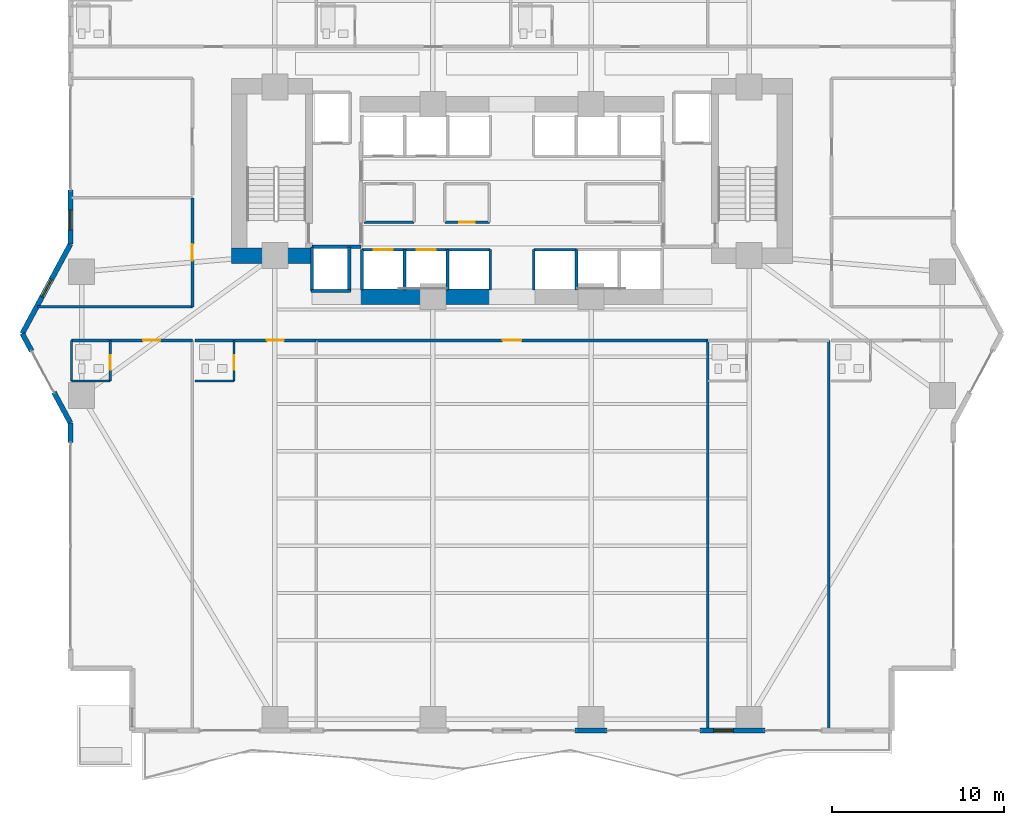
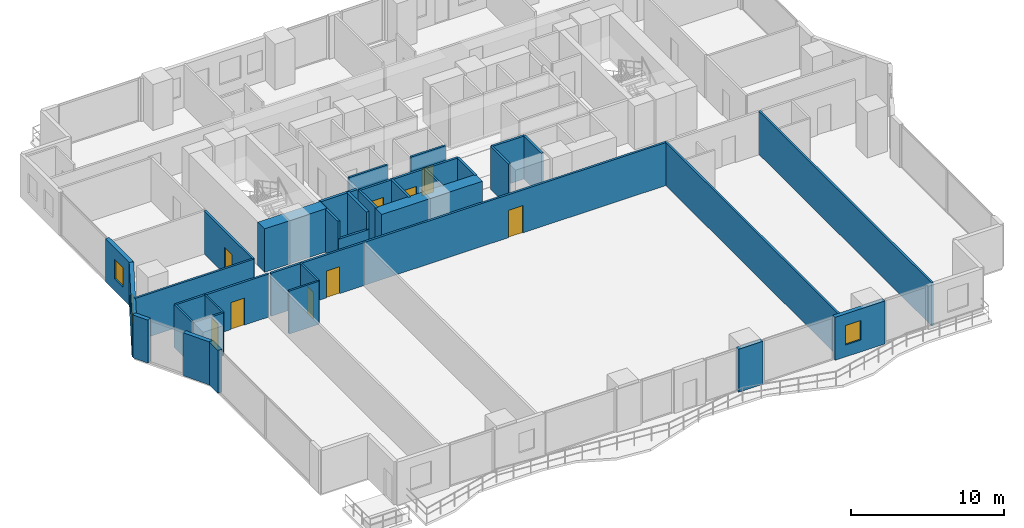
# One storey, part 19 of 28: 37 walls, 9 doors, 3 windows, 12 openings.
"""IFC4 building model written with IfcOpenShell, lengths in metres."""

from ifc_helpers import new_model, si_unit, direction, frame, frame_2d, origin, place, context, subcontext, project, spatial, rectangle, extrude, material, layer, layer_set, type_object, element, fill, save


model = new_model("IFC4")

# Units and contexts
model_context = context("Model", 3, precision=1e-05, world=origin(), true_north=direction((0.0, 1.0)))
body_context = subcontext(model_context, "Body", "Model", "MODEL_VIEW")
ifc_project = project(units=[si_unit("LENGTHUNIT", "METRE"), si_unit("AREAUNIT", "SQUARE_METRE"), si_unit("VOLUMEUNIT", "CUBIC_METRE"), si_unit("PLANEANGLEUNIT", "RADIAN"), si_unit("MASSUNIT", "GRAM", prefix="KILO")], contexts=[model_context])

# Site, building, storey
site_placement = place(None, origin())
site = spatial("IfcSite", under=ifc_project, at=site_placement, CompositionType="ELEMENT")
building_placement = place(site_placement, origin())
building = spatial("IfcBuilding", under=site, at=building_placement, Name="Zuhayl Quay Hotel", CompositionType="ELEMENT")
storey_placement = place(building_placement, frame((0.0, 0.0, 71.39990234375)))
storey = spatial("IfcBuildingStorey", under=building, at=storey_placement, Name="L17", CompositionType="ELEMENT", Elevation=71.39990234375)

# Walls
ifc_material_1 = material(Name="Concrete C70/85", Category="concrete")
ifc_layer_1 = layer(ifc_material_1, 0.89990234375, Name="Concrete C70/85", Category="concrete")
ifc_layer_set_1 = layer_set([ifc_layer_1], Name="Concrete C70/85")
wall_type_1 = type_object("IfcWallType", Name="WL_CORE_900", PredefinedType="SHEAR", material=ifc_layer_set_1)
wall_1_placement = place(storey_placement, frame((-16.31005859375, 4.52001953125, 0.0), z_axis=(0.0, 0.0, 1.0), x_axis=(1.0, 0.0, 0.0)))
element("IfcWall", 1, at=wall_1_placement, inside=storey, type_object=wall_type_1, Name="L17 Core Shear Wall CW_SW", PredefinedType="SHEAR", context=body_context, shape_type="SweptSolid", body=[
    extrude(rectangle(XDim=4.7099609375, YDim=0.89990234375, at=frame_2d((2.35498046875, 0.0))), origin(), (0.0, 0.0, 1.0), 3.460205078125),
])
wall_2_placement = place(storey_placement, frame((-8.85009765625, 2.14990234375, 0.0), z_axis=(0.0, 0.0, 1.0), x_axis=(1.0, 0.0, 0.0)))
element("IfcWall", 2, at=wall_2_placement, inside=storey, type_object=wall_type_1, Name="L17 Core Shear Wall CW_SC_W", PredefinedType="SHEAR", context=body_context, shape_type="SweptSolid", body=[
    extrude(rectangle(XDim=7.60009765625, YDim=0.89990234375, at=frame_2d((3.800048828125, 0.0))), origin(), (0.0, 0.0, 1.0), 3.43017578125),
])
ifc_material_2 = material(Name="Precast concrete C45/55", Category="concrete")
ifc_layer_2 = layer(ifc_material_2, 0.300048828125, Name="Precast concrete C45/55", Category="concrete")
ifc_layer_set_2 = layer_set([ifc_layer_2], Name="Precast concrete C45/55")
wall_type_2 = type_object("IfcWallType", Name="WL_EXT_300", PredefinedType="STANDARD", material=ifc_layer_set_2)
wall_3_placement = place(storey_placement, frame((-25.699951171875, -6.35009765625, 0.0), z_axis=(0.0, 0.0, 1.0), x_axis=(0.0, 1.0, 0.0)))
element("IfcWall", 3, at=wall_3_placement, inside=storey, type_object=wall_type_2, Name="L17 Exterior Precast Wall ENV_L17_E02_EW2", PredefinedType="STANDARD", context=body_context, shape_type="SweptSolid", body=[
    extrude(rectangle(XDim=1.150146484375, YDim=0.300048828125, at=frame_2d((0.5751953125, 0.0))), origin(), (0.0, 0.0, 1.0), 3.43017578125),
])
wall_4_placement = place(storey_placement, frame((-25.699951171875, -5.199951171875, 0.0), z_axis=(0.0, 0.0, 1.0), x_axis=(-0.474121438562, 0.88045946045, 0.0)))
element("IfcWall", 4, at=wall_4_placement, inside=storey, type_object=wall_type_2, Name="L17 Exterior Precast Wall ENV_L17_E03_EW1", PredefinedType="STANDARD", context=body_context, shape_type="SweptSolid", body=[
    extrude(rectangle(XDim=2.0205078125, YDim=0.300048828125, at=frame_2d((1.01025390625, 0.0))), origin(), (0.0, 0.0, 1.0), 3.43017578125),
])
wall_5_placement = place(storey_placement, frame((-27.954833984375, -1.012451171875, 0.0), z_axis=(0.0, 0.0, 1.0), x_axis=(-0.474099823035, 0.880471099922, 0.0)))
element("IfcWall", 5, at=wall_5_placement, inside=storey, type_object=wall_type_2, Name="L17 Exterior Precast Wall ENV_L17_E03_EW2", PredefinedType="STANDARD", context=body_context, shape_type="SweptSolid", body=[
    extrude(rectangle(XDim=1.14990234375, YDim=0.300048828125, at=frame_2d((0.574951171875, 0.0))), origin(), (0.0, 0.0, 1.0), 3.43017578125),
])

# Wall, opening, window
wall_6_placement = place(storey_placement, frame((-28.5, 0.0, 0.0), z_axis=(0.0, 0.0, 1.0), x_axis=(0.474109683532, 0.880465790352, 0.0)))
wall_6 = element("IfcWall", 6, at=wall_6_placement, inside=storey, type_object=wall_type_2, Name="L17 Exterior Precast Wall ENV_L17_E04_EW1", PredefinedType="STANDARD", context=body_context, shape_type="SweptSolid", body=[
    extrude(rectangle(XDim=5.906005859375, YDim=0.300048828125, at=frame_2d((2.953125, 0.0))), origin(), (0.0, 0.0, 1.0), 3.43017578125),
])
opening_1_placement = place(wall_6_placement, frame((2.43212890625, 0.0, 0.949951171875)))
opening_1 = element("IfcOpeningElement", 7, at=opening_1_placement, cuts=wall_6, Name="Opening W01N", PredefinedType="OPENING", context=body_context, shape_type="SweptSolid", body=[
    extrude(rectangle(XDim=1.14990234375, YDim=1.550048828125, at=frame_2d((0.574951171875, 0.77490234375))), frame((0.0, 0.159912109375, 0.0), z_axis=(0.0, -1.0, 0.0), x_axis=(1.0, 0.0, 0.0)), (0.0, 0.0, 1.0), 0.320068359375),
])
ifc_material_3 = material(Name="Dark Ceramic-Fritted Solar Glass", Category="glass")
window_type = type_object("IfcWindowType", Name="WN_NOTCH_1350", PartitioningType="SINGLE_PANEL", PredefinedType="WINDOW", material=ifc_material_3)
window_1_placement = place(opening_1_placement, origin())
window_1 = element("IfcWindow", 8, at=window_1_placement, inside=storey, type_object=window_type, Name="L17 Operable Facade Window 1-1", OverallHeight=1.550048828125, OverallWidth=1.14990234375, PartitioningType="SINGLE_PANEL", PredefinedType="WINDOW", context=body_context, shape_type="SweptSolid", body=[
    extrude(rectangle(XDim=1.14990234375, YDim=1.550048828125, at=frame_2d((0.574951171875, 0.77490234375))), frame((0.0, 0.030029296875, 0.0), z_axis=(0.0, -1.0, 0.0), x_axis=(1.0, 0.0, 0.0)), (0.0, 0.0, 1.0), 0.06005859375),
])
fill(opening_1, window_1)

wall_7_placement = place(storey_placement, frame((-25.699951171875, 5.199951171875, 0.0), z_axis=(0.0, 0.0, 1.0), x_axis=(0.0, 1.0, 0.0)))
wall_7 = element("IfcWall", 9, at=wall_7_placement, inside=storey, type_object=wall_type_2, Name="L17 Exterior Precast Wall ENV_L17_E05_EW1", PredefinedType="STANDARD", context=body_context, shape_type="SweptSolid", body=[
    extrude(rectangle(XDim=3.150146484375, YDim=0.300048828125, at=frame_2d((1.5751953125, 0.0))), origin(), (0.0, 0.0, 1.0), 3.43017578125),
])
opening_2_placement = place(wall_7_placement, frame((0.8349609375, 0.0, 0.949951171875)))
opening_2 = element("IfcOpeningElement", 10, at=opening_2_placement, cuts=wall_7, Name="Opening W01N", PredefinedType="OPENING", context=body_context, shape_type="SweptSolid", body=[
    extrude(rectangle(XDim=1.14990234375, YDim=1.550048828125, at=frame_2d((0.574951171875, 0.77490234375))), frame((0.0, 0.159912109375, 0.0), z_axis=(0.0, -1.0, 0.0), x_axis=(1.0, 0.0, 0.0)), (0.0, 0.0, 1.0), 0.320068359375),
])
window_2_placement = place(opening_2_placement, origin())
window_2 = element("IfcWindow", 11, at=window_2_placement, inside=storey, type_object=window_type, Name="L17 Operable Facade Window 1-1", OverallHeight=1.550048828125, OverallWidth=1.14990234375, PartitioningType="SINGLE_PANEL", PredefinedType="WINDOW", context=body_context, shape_type="SweptSolid", body=[
    extrude(rectangle(XDim=1.14990234375, YDim=1.550048828125, at=frame_2d((0.574951171875, 0.77490234375))), frame((0.0, 0.030029296875, 0.0), z_axis=(0.0, -1.0, 0.0), x_axis=(1.0, 0.0, 0.0)), (0.0, 0.0, 1.0), 0.06005859375),
])
fill(opening_2, window_2)

wall_8_placement = place(storey_placement, frame((14.719970703125, -23.10009765625, 0.0), z_axis=(0.0, 0.0, 1.0), x_axis=(-1.0, 0.0, 0.0)))
wall_8 = element("IfcWall", 12, at=wall_8_placement, inside=storey, type_object=wall_type_2, Name="L17 Exterior Precast Wall ENV_L17_S_EW2", PredefinedType="STANDARD", context=body_context, shape_type="SweptSolid", body=[
    extrude(rectangle(XDim=3.77001953125, YDim=0.300048828125, at=frame_2d((1.885009765625, 0.0))), origin(), (0.0, 0.0, 1.0), 3.43017578125),
])
opening_3_placement = place(wall_8_placement, frame((1.8349609375, 0.0, 0.949951171875)))
opening_3 = element("IfcOpeningElement", 13, at=opening_3_placement, cuts=wall_8, Name="Opening W01N", PredefinedType="OPENING", context=body_context, shape_type="SweptSolid", body=[
    extrude(rectangle(XDim=1.14990234375, YDim=1.550048828125, at=frame_2d((0.574951171875, 0.77490234375))), frame((0.0, 0.159912109375, 0.0), z_axis=(0.0, -1.0, 0.0), x_axis=(1.0, 0.0, 0.0)), (0.0, 0.0, 1.0), 0.320068359375),
])
window_3_placement = place(opening_3_placement, origin())
window_3 = element("IfcWindow", 14, at=window_3_placement, inside=storey, type_object=window_type, Name="L17 Operable Facade Window 2-1", OverallHeight=1.550048828125, OverallWidth=1.14990234375, PartitioningType="SINGLE_PANEL", PredefinedType="WINDOW", context=body_context, shape_type="SweptSolid", body=[
    extrude(rectangle(XDim=1.14990234375, YDim=1.550048828125, at=frame_2d((0.574951171875, 0.77490234375))), frame((0.0, 0.030029296875, 0.0), z_axis=(0.0, -1.0, 0.0), x_axis=(1.0, 0.0, 0.0)), (0.0, 0.0, 1.0), 0.06005859375),
])
fill(opening_3, window_3)

# Wall
wall_9_placement = place(storey_placement, frame((5.52001953125, -23.10009765625, 0.0), z_axis=(0.0, 0.0, 1.0), x_axis=(-1.0, 0.0, 0.0)))
element("IfcWall", 15, at=wall_9_placement, inside=storey, type_object=wall_type_2, Name="L17 Exterior Precast Wall ENV_L17_S_EW3", PredefinedType="STANDARD", context=body_context, shape_type="SweptSolid", body=[
    extrude(rectangle(XDim=1.840087890625, YDim=0.300048828125, at=frame_2d((0.919921875, 0.0))), origin(), (0.0, 0.0, 1.0), 3.43017578125),
])

# Wall, opening, door
ifc_material_4 = material(Name="Acoustic Gypsum Partition STC-58")
ifc_layer_3 = layer(ifc_material_4, 0.14990234375, Name="Acoustic Gypsum Partition STC-58")
ifc_layer_set_3 = layer_set([ifc_layer_3], Name="Acoustic Gypsum Partition STC-58")
wall_type_3 = type_object("IfcWallType", Name="WL_PART_150", PredefinedType="PARTITIONING", material=ifc_layer_set_3)
wall_10_placement = place(storey_placement, frame((-3.909912109375, 6.47998046875, 0.0), z_axis=(0.0, 0.0, 1.0), x_axis=(1.0, 0.0, 0.0)))
wall_10 = element("IfcWall", 16, at=wall_10_placement, inside=storey, type_object=wall_type_3, Name="L17 Partition IW_L17_CORE_BC_S", PredefinedType="PARTITIONING", context=body_context, shape_type="SweptSolid", body=[
    extrude(rectangle(XDim=2.58984375, YDim=0.14990234375, at=frame_2d((1.294921875, 0.0))), origin(), (0.0, 0.0, 1.0), 3.43017578125),
])
opening_4_placement = place(wall_10_placement, frame((0.844970703125, 0.0, 0.0)))
opening_4 = element("IfcOpeningElement", 17, at=opening_4_placement, cuts=wall_10, Name="Opening D06", PredefinedType="OPENING", context=body_context, shape_type="SweptSolid", body=[
    extrude(rectangle(XDim=0.89990234375, YDim=2.14990234375, at=frame_2d((0.449951171875, 1.074951171875))), frame((0.0, 0.0849609375, 0.0), z_axis=(0.0, -1.0, 0.0), x_axis=(1.0, 0.0, 0.0)), (0.0, 0.0, 1.0), 0.169921875),
])
ifc_material_5 = material(Name="Steel ASTM A992 Grade 50", Category="steel")
door_type_1 = type_object("IfcDoorType", Name="DR_INT_900", OperationType="NOTDEFINED", PredefinedType="DOOR", material=ifc_material_5)
door_1_placement = place(opening_4_placement, origin())
door_1 = element("IfcDoor", 18, at=door_1_placement, inside=storey, type_object=door_type_1, Name="L17 BMS Control Closet Door", OperationType="SINGLE_SWING_LEFT", OverallHeight=2.14990234375, OverallWidth=0.89990234375, PredefinedType="DOOR", context=body_context, shape_type="SweptSolid", body=[
    extrude(rectangle(XDim=0.89990234375, YDim=2.14990234375, at=frame_2d((0.449951171875, 1.074951171875))), frame((0.0, 0.02490234375, 0.0), z_axis=(0.0, -1.0, 0.0), x_axis=(1.0, 0.0, 0.0)), (0.0, 0.0, 1.0), 0.050048828125),
])
fill(opening_4, door_1)

# Walls
wall_11_placement = place(storey_placement, frame((-8.610107421875, 6.47998046875, 0.0), z_axis=(0.0, 0.0, 1.0), x_axis=(1.0, 0.0, 0.0)))
element("IfcWall", 19, at=wall_11_placement, inside=storey, type_object=wall_type_3, Name="L17 Partition IW_L17_CORE_HK_S", PredefinedType="PARTITIONING", context=body_context, shape_type="SweptSolid", body=[
    extrude(rectangle(XDim=2.920166015625, YDim=0.14990234375, at=frame_2d((1.4599609375, 0.0))), origin(), (0.0, 0.0, 1.0), 3.43017578125),
])
wall_12_placement = place(storey_placement, frame((11.39990234375, -23.0400390625, 0.0), z_axis=(0.0, 0.0, 1.0), x_axis=(0.0, 1.0, 0.0)))
element("IfcWall", 20, at=wall_12_placement, inside=storey, type_object=wall_type_3, Name="L17 Partition IW_L17_SSAL_1_E", PredefinedType="PARTITIONING", context=body_context, shape_type="SweptSolid", body=[
    extrude(rectangle(XDim=22.64013671875, YDim=0.14990234375, at=frame_2d((11.320068359375, 0.0))), origin(), (0.0, 0.0, 1.0), 3.43017578125),
])
wall_13_placement = place(storey_placement, frame((18.43994140625, -23.02001953125, 0.0), z_axis=(0.0, 0.0, 1.0), x_axis=(0.0, 1.0, 0.0)))
element("IfcWall", 21, at=wall_13_placement, inside=storey, type_object=wall_type_3, Name="L17 Partition IW_L17_SU03A_E", PredefinedType="PARTITIONING", context=body_context, shape_type="SweptSolid", body=[
    extrude(rectangle(XDim=22.6201171875, YDim=0.14990234375, at=frame_2d((11.31005859375, 0.0))), origin(), (0.0, 0.0, 1.0), 3.43017578125),
])
wall_14_placement = place(storey_placement, frame((-27.60546875, 1.550048828125, 0.0), z_axis=(0.0, 0.0, 1.0), x_axis=(1.0, 0.0, 0.0)))
element("IfcWall", 22, at=wall_14_placement, inside=storey, type_object=wall_type_3, Name="L17 Partition IW_L17_WPROW_1_S", PredefinedType="PARTITIONING", context=body_context, shape_type="SweptSolid", body=[
    extrude(rectangle(XDim=9.00537109375, YDim=0.14990234375, at=frame_2d((4.502685546875, 0.0))), origin(), (0.0, 0.0, 1.0), 3.43017578125),
])

# Wall, opening, door
ifc_layer_4 = layer(ifc_material_4, 0.159912109375, Name="Acoustic Gypsum Partition STC-58")
ifc_layer_set_4 = layer_set([ifc_layer_4], Name="Acoustic Gypsum Partition STC-58")
wall_type_4 = type_object("IfcWallType", Name="WL_PART_CORR_160", PredefinedType="PARTITIONING", material=ifc_layer_set_4)
wall_15_placement = place(storey_placement, frame((-25.639892578125, -0.39990234375, 0.0), z_axis=(0.0, 0.0, 1.0), x_axis=(1.0, 0.0, 0.0)))
wall_15 = element("IfcWall", 23, at=wall_15_placement, inside=storey, type_object=wall_type_4, Name="L17 Partition IW_L17_SU01A_COR", PredefinedType="PARTITIONING", context=body_context, shape_type="SweptSolid", body=[
    extrude(rectangle(XDim=7.039794921875, YDim=0.159912109375, at=frame_2d((3.52001953125, 0.0))), origin(), (0.0, 0.0, 1.0), 3.43017578125),
])
opening_5_placement = place(wall_15_placement, frame((4.169921875, 0.0, 0.0)))
opening_5 = element("IfcOpeningElement", 24, at=opening_5_placement, cuts=wall_15, Name="Opening D03L", PredefinedType="OPENING", context=body_context, shape_type="SweptSolid", body=[
    extrude(rectangle(XDim=1.0, YDim=2.14990234375, at=frame_2d((0.5, 1.074951171875))), frame((0.0, 0.08984375, 0.0), z_axis=(0.0, -1.0, 0.0), x_axis=(1.0, 0.0, 0.0)), (0.0, 0.0, 1.0), 0.179931640625),
])
ifc_material_6 = material(Name="Solid Walnut Acoustic Fire Door")
door_type_2 = type_object("IfcDoorType", Name="DR_SUITE_1000", OperationType="NOTDEFINED", PredefinedType="DOOR", material=ifc_material_6)
door_2_placement = place(opening_5_placement, origin())
door_2 = element("IfcDoor", 25, at=door_2_placement, inside=storey, type_object=door_type_2, Name="L17 City-View Junior Suite L17-01A Entrance Door", OperationType="SINGLE_SWING_LEFT", OverallHeight=2.14990234375, OverallWidth=1.0, PredefinedType="DOOR", context=body_context, shape_type="SweptSolid", body=[
    extrude(rectangle(XDim=1.0, YDim=2.14990234375, at=frame_2d((0.5, 1.074951171875))), frame((0.0, 0.02490234375, 0.0), z_axis=(0.0, -1.0, 0.0), x_axis=(1.0, 0.0, 0.0)), (0.0, 0.0, 1.0), 0.050048828125),
])
fill(opening_5, door_2)

wall_16_placement = place(storey_placement, frame((-18.43994140625, -0.39990234375, 0.0), z_axis=(0.0, 0.0, 1.0), x_axis=(1.0, 0.0, 0.0)))
wall_16 = element("IfcWall", 26, at=wall_16_placement, inside=storey, type_object=wall_type_4, Name="L17 Partition IW_L17_SU01B_COR", PredefinedType="PARTITIONING", context=body_context, shape_type="SweptSolid", body=[
    extrude(rectangle(XDim=7.0400390625, YDim=0.159912109375, at=frame_2d((3.52001953125, 0.0))), origin(), (0.0, 0.0, 1.0), 3.43017578125),
])
opening_6_placement = place(wall_16_placement, frame((4.169921875, 0.0, 0.0)))
opening_6 = element("IfcOpeningElement", 27, at=opening_6_placement, cuts=wall_16, Name="Opening D03L", PredefinedType="OPENING", context=body_context, shape_type="SweptSolid", body=[
    extrude(rectangle(XDim=1.0, YDim=2.14990234375, at=frame_2d((0.5, 1.074951171875))), frame((0.0, 0.08984375, 0.0), z_axis=(0.0, -1.0, 0.0), x_axis=(1.0, 0.0, 0.0)), (0.0, 0.0, 1.0), 0.179931640625),
])
door_3_placement = place(opening_6_placement, origin())
door_3 = element("IfcDoor", 28, at=door_3_placement, inside=storey, type_object=door_type_2, Name="L17 City-View Junior Suite L17-01B Entrance Door", OperationType="SINGLE_SWING_LEFT", OverallHeight=2.14990234375, OverallWidth=1.0, PredefinedType="DOOR", context=body_context, shape_type="SweptSolid", body=[
    extrude(rectangle(XDim=1.0, YDim=2.14990234375, at=frame_2d((0.5, 1.074951171875))), frame((0.0, 0.02490234375, 0.0), z_axis=(0.0, -1.0, 0.0), x_axis=(1.0, 0.0, 0.0)), (0.0, 0.0, 1.0), 0.050048828125),
])
fill(opening_6, door_3)

wall_17_placement = place(storey_placement, frame((-11.39990234375, -0.39990234375, 0.0), z_axis=(0.0, 0.0, 1.0), x_axis=(1.0, 0.0, 0.0)))
wall_17 = element("IfcWall", 29, at=wall_17_placement, inside=storey, type_object=wall_type_4, Name="L17 Partition IW_L17_SSAL_1_N", PredefinedType="PARTITIONING", context=body_context, shape_type="SweptSolid", body=[
    extrude(rectangle(XDim=22.7998046875, YDim=0.159912109375, at=frame_2d((11.39990234375, 0.0))), origin(), (0.0, 0.0, 1.0), 3.43017578125),
])
opening_7_placement = place(wall_17_placement, frame((10.860107421875, 0.0, 0.0)))
opening_7 = element("IfcOpeningElement", 30, at=opening_7_placement, cuts=wall_17, Name="Opening D05A", PredefinedType="OPENING", context=body_context, shape_type="SweptSolid", body=[
    extrude(rectangle(XDim=1.080078125, YDim=2.179931640625, at=frame_2d((0.5400390625, 1.08984375))), frame((0.0, 0.08984375, 0.0), z_axis=(0.0, -1.0, 0.0), x_axis=(1.0, 0.0, 0.0)), (0.0, 0.0, 1.0), 0.179931640625),
])
door_type_3 = type_object("IfcDoorType", Name="DR_INT_1100", OperationType="NOTDEFINED", PredefinedType="DOOR", material=ifc_material_6)
door_4_placement = place(opening_7_placement, origin())
door_4 = element("IfcDoor", 31, at=door_4_placement, inside=storey, type_object=door_type_3, Name="L17 South Sunset Salon L17 Door", OperationType="SINGLE_SWING_RIGHT", OverallHeight=2.179931640625, OverallWidth=1.080078125, PredefinedType="DOOR", context=body_context, shape_type="SweptSolid", body=[
    extrude(rectangle(XDim=1.080078125, YDim=2.179931640625, at=frame_2d((0.5400390625, 1.08984375))), frame((0.0, 0.02490234375, 0.0), z_axis=(0.0, -1.0, 0.0), x_axis=(1.0, 0.0, 0.0)), (0.0, 0.0, 1.0), 0.050048828125),
])
fill(opening_7, door_4)

wall_18_placement = place(storey_placement, frame((-18.60009765625, 1.550048828125, 0.0), z_axis=(0.0, 0.0, 1.0), x_axis=(0.0, 1.0, 0.0)))
wall_18 = element("IfcWall", 32, at=wall_18_placement, inside=storey, type_object=wall_type_4, Name="L17 Partition IW_L17_WPROW_1_E", PredefinedType="PARTITIONING", context=body_context, shape_type="SweptSolid", body=[
    extrude(rectangle(XDim=6.349853515625, YDim=0.159912109375, at=frame_2d((3.1748046875, 0.0))), origin(), (0.0, 0.0, 1.0), 3.43017578125),
])
opening_8_placement = place(wall_18_placement, frame((2.699951171875, 0.0, 0.0)))
opening_8 = element("IfcOpeningElement", 33, at=opening_8_placement, cuts=wall_18, Name="Opening D03", PredefinedType="OPENING", context=body_context, shape_type="SweptSolid", body=[
    extrude(rectangle(XDim=0.949951171875, YDim=2.14990234375, at=frame_2d((0.47509765625, 1.074951171875))), frame((0.0, 0.08984375, 0.0), z_axis=(0.0, -1.0, 0.0), x_axis=(1.0, 0.0, 0.0)), (0.0, 0.0, 1.0), 0.179931640625),
])
door_type_4 = type_object("IfcDoorType", Name="DR_SUITE_950", OperationType="NOTDEFINED", PredefinedType="DOOR", material=ifc_material_6)
door_5_placement = place(opening_8_placement, origin())
door_5 = element("IfcDoor", 34, at=door_5_placement, inside=storey, type_object=door_type_4, Name="L17 West Prow Office L17 Door", OperationType="SINGLE_SWING_LEFT", OverallHeight=2.14990234375, OverallWidth=0.949951171875, PredefinedType="DOOR", context=body_context, shape_type="SweptSolid", body=[
    extrude(rectangle(XDim=0.949951171875, YDim=2.14990234375, at=frame_2d((0.47509765625, 1.074951171875))), frame((0.0, 0.02490234375, 0.0), z_axis=(0.0, -1.0, 0.0), x_axis=(1.0, 0.0, 0.0)), (0.0, 0.0, 1.0), 0.050048828125),
])
fill(opening_8, door_5)

ifc_material_7 = material(Name="Moisture-Resistant Sanitarychase Gypsum")
ifc_layer_5 = layer(ifc_material_7, 0.135009765625, Name="Moisture-Resistant Sanitarychase Gypsum")
ifc_layer_set_5 = layer_set([ifc_layer_5], Name="Moisture-Resistant Sanitarychase Gypsum")
wall_type_5 = type_object("IfcWallType", Name="WL_PART_PLUMB_150", PredefinedType="PLUMBINGWALL", material=ifc_layer_set_5)
wall_19_placement = place(storey_placement, frame((-23.3798828125, -2.760009765625, 0.0), z_axis=(0.0, 0.0, 1.0), x_axis=(0.0, 1.0, 0.0)))
wall_19 = element("IfcWall", 35, at=wall_19_placement, inside=storey, type_object=wall_type_5, Name="L17 Partition IW_L17_SU01A_BE", PredefinedType="PLUMBINGWALL", context=body_context, shape_type="SweptSolid", body=[
    extrude(rectangle(XDim=2.360107421875, YDim=0.135009765625, at=frame_2d((1.18017578125, 0.0))), origin(), (0.0, 0.0, 1.0), 3.43017578125),
])
opening_9_placement = place(wall_19_placement, frame((0.64990234375, 0.0, 0.0)))
opening_9 = element("IfcOpeningElement", 36, at=opening_9_placement, cuts=wall_19, Name="Opening D04", PredefinedType="OPENING", context=body_context, shape_type="SweptSolid", body=[
    extrude(rectangle(XDim=0.85009765625, YDim=2.10009765625, at=frame_2d((0.425048828125, 1.050048828125))), frame((0.0, 0.077392578125, 0.0), z_axis=(0.0, -1.0, 0.0), x_axis=(1.0, 0.0, 0.0)), (0.0, 0.0, 1.0), 0.155029296875),
])
ifc_material_8 = material(Name="Moisture-Resistant Walnut Veneer")
door_type_5 = type_object("IfcDoorType", Name="DR_BATH_850", OperationType="NOTDEFINED", PredefinedType="DOOR", material=ifc_material_8)
door_6_placement = place(opening_9_placement, origin())
door_6 = element("IfcDoor", 37, at=door_6_placement, inside=storey, type_object=door_type_5, Name="L17 City-View Junior Suite L17-01A En-Suite Door", OperationType="SINGLE_SWING_RIGHT", OverallHeight=2.10009765625, OverallWidth=0.85009765625, PredefinedType="DOOR", context=body_context, shape_type="SweptSolid", body=[
    extrude(rectangle(XDim=0.85009765625, YDim=2.10009765625, at=frame_2d((0.425048828125, 1.050048828125))), frame((0.0, 0.02490234375, 0.0), z_axis=(0.0, -1.0, 0.0), x_axis=(1.0, 0.0, 0.0)), (0.0, 0.0, 1.0), 0.050048828125),
])
fill(opening_9, door_6)

wall_20_placement = place(storey_placement, frame((-16.179931640625, -2.760009765625, 0.0), z_axis=(0.0, 0.0, 1.0), x_axis=(0.0, 1.0, 0.0)))
wall_20 = element("IfcWall", 38, at=wall_20_placement, inside=storey, type_object=wall_type_5, Name="L17 Partition IW_L17_SU01B_BE", PredefinedType="PLUMBINGWALL", context=body_context, shape_type="SweptSolid", body=[
    extrude(rectangle(XDim=2.360107421875, YDim=0.135009765625, at=frame_2d((1.18017578125, 0.0))), origin(), (0.0, 0.0, 1.0), 3.43017578125),
])
opening_10_placement = place(wall_20_placement, frame((0.64990234375, 0.0, 0.0)))
opening_10 = element("IfcOpeningElement", 39, at=opening_10_placement, cuts=wall_20, Name="Opening D04", PredefinedType="OPENING", context=body_context, shape_type="SweptSolid", body=[
    extrude(rectangle(XDim=0.85009765625, YDim=2.10009765625, at=frame_2d((0.425048828125, 1.050048828125))), frame((0.0, 0.077392578125, 0.0), z_axis=(0.0, -1.0, 0.0), x_axis=(1.0, 0.0, 0.0)), (0.0, 0.0, 1.0), 0.155029296875),
])
door_7_placement = place(opening_10_placement, origin())
door_7 = element("IfcDoor", 40, at=door_7_placement, inside=storey, type_object=door_type_5, Name="L17 City-View Junior Suite L17-01B En-Suite Door", OperationType="SINGLE_SWING_RIGHT", OverallHeight=2.10009765625, OverallWidth=0.85009765625, PredefinedType="DOOR", context=body_context, shape_type="SweptSolid", body=[
    extrude(rectangle(XDim=0.85009765625, YDim=2.10009765625, at=frame_2d((0.425048828125, 1.050048828125))), frame((0.0, 0.02490234375, 0.0), z_axis=(0.0, -1.0, 0.0), x_axis=(1.0, 0.0, 0.0)), (0.0, 0.0, 1.0), 0.050048828125),
])
fill(opening_10, door_7)

# Walls
wall_21_placement = place(storey_placement, frame((-25.639892578125, -2.760009765625, 0.0), z_axis=(0.0, 0.0, 1.0), x_axis=(1.0, 0.0, 0.0)))
element("IfcWall", 41, at=wall_21_placement, inside=storey, type_object=wall_type_5, Name="L17 Partition IW_L17_SU01A_BS", PredefinedType="PLUMBINGWALL", context=body_context, shape_type="SweptSolid", body=[
    extrude(rectangle(XDim=2.260009765625, YDim=0.135009765625, at=frame_2d((1.1298828125, 0.0))), origin(), (0.0, 0.0, 1.0), 3.43017578125),
])
wall_22_placement = place(storey_placement, frame((-25.639892578125, -2.760009765625, 0.0), z_axis=(0.0, 0.0, 1.0), x_axis=(0.0, 1.0, 0.0)))
element("IfcWall", 42, at=wall_22_placement, inside=storey, type_object=wall_type_5, Name="L17 Partition IW_L17_SU01A_BW", PredefinedType="PLUMBINGWALL", context=body_context, shape_type="SweptSolid", body=[
    extrude(rectangle(XDim=2.360107421875, YDim=0.135009765625, at=frame_2d((1.18017578125, 0.0))), origin(), (0.0, 0.0, 1.0), 3.43017578125),
])
wall_23_placement = place(storey_placement, frame((-18.43994140625, -2.760009765625, 0.0), z_axis=(0.0, 0.0, 1.0), x_axis=(1.0, 0.0, 0.0)))
element("IfcWall", 43, at=wall_23_placement, inside=storey, type_object=wall_type_5, Name="L17 Partition IW_L17_SU01B_BS", PredefinedType="PLUMBINGWALL", context=body_context, shape_type="SweptSolid", body=[
    extrude(rectangle(XDim=2.260009765625, YDim=0.135009765625, at=frame_2d((1.1298828125, 0.0))), origin(), (0.0, 0.0, 1.0), 3.43017578125),
])

# Wall, opening, door
ifc_material_9 = material(Name="Gypsum Fireboard Assembly EI-90")
ifc_layer_6 = layer(ifc_material_9, 0.1650390625, Name="Gypsum Fireboard Assembly EI-90")
ifc_layer_set_6 = layer_set([ifc_layer_6], Name="Gypsum Fireboard Assembly EI-90")
wall_type_6 = type_object("IfcWallType", Name="WL_PART_SHAFT_160", PredefinedType="PARTITIONING", material=ifc_layer_set_6)
wall_24_placement = place(storey_placement, frame((-8.72998046875, 4.8798828125, 0.0), z_axis=(0.0, 0.0, 1.0), x_axis=(1.0, 0.0, 0.0)))
wall_24 = element("IfcWall", 44, at=wall_24_placement, inside=storey, type_object=wall_type_6, Name="L17 Partition IW_L17_SH_LP1_F", PredefinedType="PARTITIONING", context=body_context, shape_type="SweptSolid", body=[
    extrude(rectangle(XDim=2.47998046875, YDim=0.1650390625, at=frame_2d((1.239990234375, 0.0))), origin(), (0.0, 0.0, 1.0), 3.43017578125),
])
opening_11_placement = place(wall_24_placement, frame((0.68994140625, 0.0, 0.0)))
opening_11 = element("IfcOpeningElement", 45, at=opening_11_placement, cuts=wall_24, Name="Opening LD1", PredefinedType="OPENING", context=body_context, shape_type="SweptSolid", body=[
    extrude(rectangle(XDim=1.10009765625, YDim=2.25, at=frame_2d((0.550048828125, 1.125))), frame((0.0, 0.092529296875, 0.0), z_axis=(0.0, -1.0, 0.0), x_axis=(1.0, 0.0, 0.0)), (0.0, 0.0, 1.0), 0.18505859375),
])
ifc_material_10 = material(Name="Brushed Stainless Steel", Category="steel")
door_type_6 = type_object("IfcDoorType", Name="DR_LIFT_PASS_1100", OperationType="SLIDING_TO_LEFT", PredefinedType="DOOR", material=ifc_material_10)
door_8_placement = place(opening_11_placement, origin())
door_8 = element("IfcDoor", 46, at=door_8_placement, inside=storey, type_object=door_type_6, Name="L17 Lift LP1 Sliding Landing Door", OperationType="SLIDING_TO_LEFT", OverallHeight=2.25, OverallWidth=1.10009765625, PredefinedType="DOOR", context=body_context, shape_type="SweptSolid", body=[
    extrude(rectangle(XDim=1.10009765625, YDim=2.25, at=frame_2d((0.550048828125, 1.125))), frame((0.0, 0.02490234375, 0.0), z_axis=(0.0, -1.0, 0.0), x_axis=(1.0, 0.0, 0.0)), (0.0, 0.0, 1.0), 0.050048828125),
])
fill(opening_11, door_8)

wall_25_placement = place(storey_placement, frame((-6.25, 4.8798828125, 0.0), z_axis=(0.0, 0.0, 1.0), x_axis=(1.0, 0.0, 0.0)))
wall_25 = element("IfcWall", 47, at=wall_25_placement, inside=storey, type_object=wall_type_6, Name="L17 Partition IW_L17_SH_LP2_F", PredefinedType="PARTITIONING", context=body_context, shape_type="SweptSolid", body=[
    extrude(rectangle(XDim=2.5, YDim=0.1650390625, at=frame_2d((1.25, 0.0))), origin(), (0.0, 0.0, 1.0), 3.43017578125),
])
opening_12_placement = place(wall_25_placement, frame((0.699951171875, 0.0, 0.0)))
opening_12 = element("IfcOpeningElement", 48, at=opening_12_placement, cuts=wall_25, Name="Opening LD1", PredefinedType="OPENING", context=body_context, shape_type="SweptSolid", body=[
    extrude(rectangle(XDim=1.10009765625, YDim=2.25, at=frame_2d((0.550048828125, 1.125))), frame((0.0, 0.092529296875, 0.0), z_axis=(0.0, -1.0, 0.0), x_axis=(1.0, 0.0, 0.0)), (0.0, 0.0, 1.0), 0.18505859375),
])
door_9_placement = place(opening_12_placement, origin())
door_9 = element("IfcDoor", 49, at=door_9_placement, inside=storey, type_object=door_type_6, Name="L17 Lift LP2 Sliding Landing Door", OperationType="SLIDING_TO_LEFT", OverallHeight=2.25, OverallWidth=1.10009765625, PredefinedType="DOOR", context=body_context, shape_type="SweptSolid", body=[
    extrude(rectangle(XDim=1.10009765625, YDim=2.25, at=frame_2d((0.550048828125, 1.125))), frame((0.0, 0.02490234375, 0.0), z_axis=(0.0, -1.0, 0.0), x_axis=(1.0, 0.0, 0.0)), (0.0, 0.0, 1.0), 0.050048828125),
])
fill(opening_12, door_9)

# Walls
for number, where, z_axis, x_axis, name in (
    (50, (-8.72998046875, 2.52001953125, 0.0), (0.0, 0.0, 1.0), (0.0, 1.0, 0.0), "L17 Partition IW_L17_SH_LP1_W"),
    (51, (-6.25, 2.52001953125, 0.0), (0.0, 0.0, 1.0), (0.0, 1.0, 0.0), "L17 Partition IW_L17_SH_LP1_E"),
    (52, (-3.75, 2.52001953125, 0.0), (0.0, 0.0, 1.0), (0.0, 1.0, 0.0), "L17 Partition IW_L17_SH_LP2_E"),
):
    element("IfcWall", number, at=place(storey_placement, frame(where, z_axis=z_axis, x_axis=x_axis)), inside=storey, type_object=wall_type_6, Name=name, PredefinedType="PARTITIONING", context=body_context, shape_type="SweptSolid", body=[
        extrude(rectangle(XDim=2.35986328125, YDim=0.1650390625, at=frame_2d((1.179931640625, 0.0))), origin(), (0.0, 0.0, 1.0), 3.43017578125),
    ])
wall_26_placement = place(storey_placement, frame((-3.75, 4.8798828125, 0.0), z_axis=(0.0, 0.0, 1.0), x_axis=(1.0, 0.0, 0.0)))
element("IfcWall", 53, at=wall_26_placement, inside=storey, type_object=wall_type_6, Name="L17 Partition IW_L17_SH_MP1_F", PredefinedType="PARTITIONING", context=body_context, shape_type="SweptSolid", body=[
    extrude(rectangle(XDim=2.47998046875, YDim=0.1650390625, at=frame_2d((1.239990234375, 0.0))), origin(), (0.0, 0.0, 1.0), 3.43017578125),
])
wall_27_placement = place(storey_placement, frame((-1.27001953125, 2.52001953125, 0.0), z_axis=(0.0, 0.0, 1.0), x_axis=(0.0, 1.0, 0.0)))
element("IfcWall", 54, at=wall_27_placement, inside=storey, type_object=wall_type_6, Name="L17 Partition IW_L17_SH_MP1_E", PredefinedType="PARTITIONING", context=body_context, shape_type="SweptSolid", body=[
    extrude(rectangle(XDim=2.35986328125, YDim=0.1650390625, at=frame_2d((1.179931640625, 0.0))), origin(), (0.0, 0.0, 1.0), 3.43017578125),
])
wall_28_placement = place(storey_placement, frame((1.27001953125, 4.8798828125, 0.0), z_axis=(0.0, 0.0, 1.0), x_axis=(1.0, 0.0, 0.0)))
element("IfcWall", 55, at=wall_28_placement, inside=storey, type_object=wall_type_6, Name="L17 Partition IW_L17_SH_MP2_F", PredefinedType="PARTITIONING", context=body_context, shape_type="SweptSolid", body=[
    extrude(rectangle(XDim=2.47998046875, YDim=0.1650390625, at=frame_2d((1.239990234375, 0.0))), origin(), (0.0, 0.0, 1.0), 3.43017578125),
])
for number, where, z_axis, x_axis, name in (
    (56, (1.27001953125, 2.52001953125, 0.0), (0.0, 0.0, 1.0), (0.0, 1.0, 0.0), "L17 Partition IW_L17_SH_MP2_W"),
    (57, (3.75, 2.52001953125, 0.0), (0.0, 0.0, 1.0), (0.0, 1.0, 0.0), "L17 Partition IW_L17_SH_MP2_E"),
):
    element("IfcWall", number, at=place(storey_placement, frame(where, z_axis=z_axis, x_axis=x_axis)), inside=storey, type_object=wall_type_6, Name=name, PredefinedType="PARTITIONING", context=body_context, shape_type="SweptSolid", body=[
        extrude(rectangle(XDim=2.35986328125, YDim=0.1650390625, at=frame_2d((1.179931640625, 0.0))), origin(), (0.0, 0.0, 1.0), 3.43017578125),
    ])
wall_29_placement = place(storey_placement, frame((-11.6298828125, 2.469970703125, 0.0), z_axis=(0.0, 0.0, 1.0), x_axis=(0.0, 1.0, 0.0)))
element("IfcWall", 58, at=wall_29_placement, inside=storey, type_object=wall_type_6, Name="L17 Partition IW_L17_RISER_W", PredefinedType="PARTITIONING", context=body_context, shape_type="SweptSolid", body=[
    extrude(rectangle(XDim=2.580078125, YDim=0.1650390625, at=frame_2d((1.2900390625, 0.0))), origin(), (0.0, 0.0, 1.0), 3.43017578125),
])
wall_30_placement = place(storey_placement, frame((-11.7099609375, 2.469970703125, 0.0), z_axis=(0.0, 0.0, 1.0), x_axis=(1.0, 0.0, 0.0)))
element("IfcWall", 59, at=wall_30_placement, inside=storey, type_object=wall_type_6, Name="L17 Partition IW_L17_RISER_S", PredefinedType="PARTITIONING", context=body_context, shape_type="SweptSolid", body=[
    extrude(rectangle(XDim=2.31005859375, YDim=0.1650390625, at=frame_2d((1.155029296875, 0.0))), origin(), (0.0, 0.0, 1.0), 2.030029296875),
])
ifc_layer_7 = layer(ifc_material_9, 0.179931640625, Name="Gypsum Fireboard Assembly EI-90")
ifc_layer_set_7 = layer_set([ifc_layer_7], Name="Gypsum Fireboard Assembly EI-90")
wall_type_7 = type_object("IfcWallType", Name="WL_PART_SHAFT_180", PredefinedType="PARTITIONING", material=ifc_layer_set_7)
wall_31_placement = place(storey_placement, frame((-9.469970703125, 2.449951171875, 0.0), z_axis=(0.0, 0.0, 1.0), x_axis=(0.0, 1.0, 0.0)))
element("IfcWall", 60, at=wall_31_placement, inside=storey, type_object=wall_type_7, Name="L17 Partition IW_L17_RISER_E", PredefinedType="PARTITIONING", context=body_context, shape_type="SweptSolid", body=[
    extrude(rectangle(XDim=2.60009765625, YDim=0.179931640625, at=frame_2d((1.300048828125, 0.0))), origin(), (0.0, 0.0, 1.0), 3.43017578125),
])
ifc_material_11 = material(Name="Gypsum Fireboard Assembly EI-120")
ifc_layer_8 = layer(ifc_material_11, 0.199951171875, Name="Gypsum Fireboard Assembly EI-120")
ifc_layer_set_8 = layer_set([ifc_layer_8], Name="Gypsum Fireboard Assembly EI-120")
wall_type_8 = type_object("IfcWallType", Name="WL_PART_SHAFT_200", PredefinedType="PARTITIONING", material=ifc_layer_set_8)
wall_32_placement = place(storey_placement, frame((-11.64990234375, 5.050048828125, 0.0), z_axis=(0.0, 0.0, 1.0), x_axis=(1.0, 0.0, 0.0)))
element("IfcWall", 61, at=wall_32_placement, inside=storey, type_object=wall_type_8, Name="L17 Partition IW_L17_FSAE_W_S", PredefinedType="PARTITIONING", context=body_context, shape_type="SweptSolid", body=[
    extrude(rectangle(XDim=2.849853515625, YDim=0.199951171875, at=frame_2d((1.4248046875, 0.0))), origin(), (0.0, 0.0, 1.0), 3.43017578125),
])

save(model, "model.ifc")
